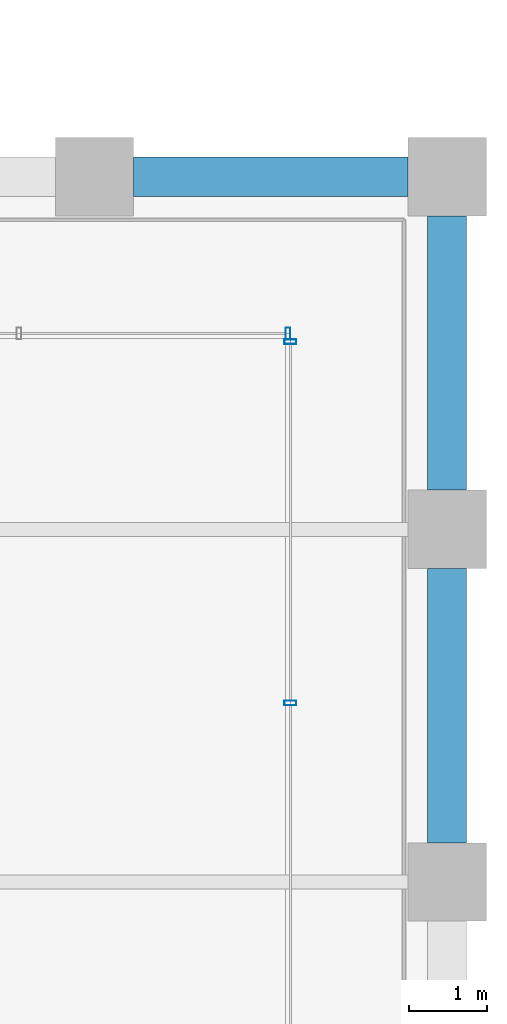
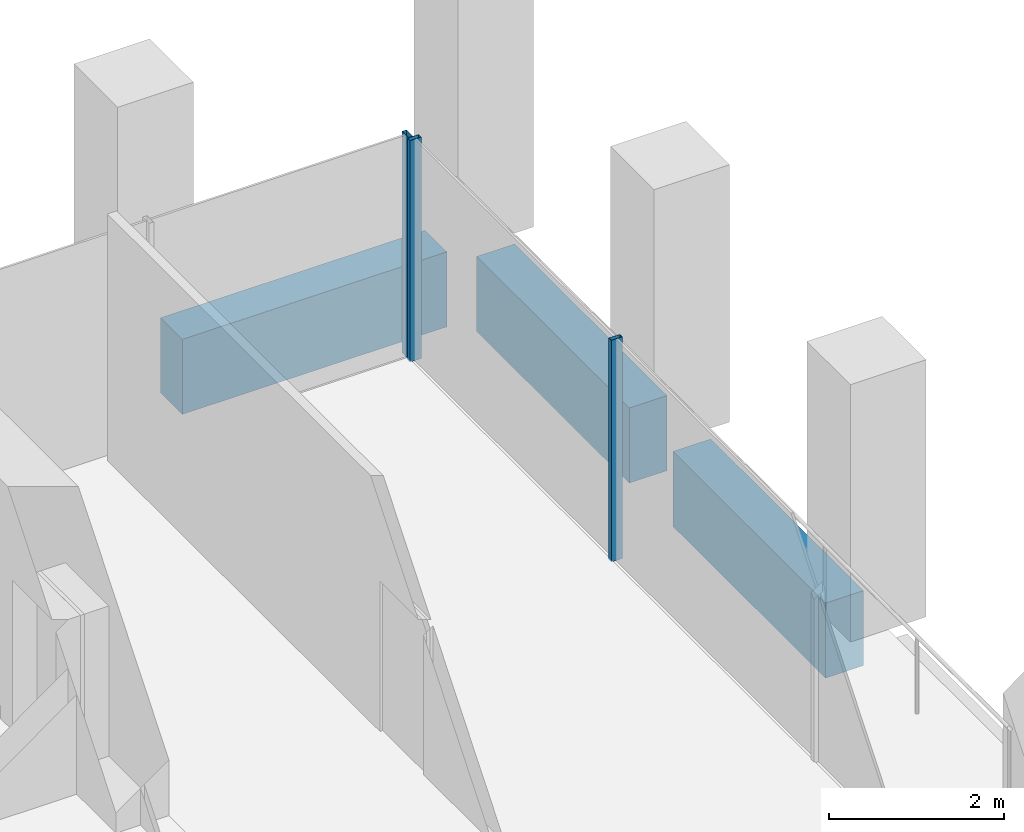
# One storey, part 38 of 46: 3 beams, 3 members, 2 elements without a shape of their own.
"""IFC4 building model written with IfcOpenShell, lengths in metres."""

from ifc_helpers import new_model, si_unit, direction, frame, origin, origin_2d, place, context, subcontext, project, spatial, rectangle, hollow_rectangle, extrude, material, material_profile, profile_set, type_object, element, aggregate, save


model = new_model("IFC4")

# Units and contexts
model_context = context("Model", 3, precision=1e-05, world=origin(), true_north=direction((0.0, 1.0)))
body_context = subcontext(model_context, "Body", "Model", "MODEL_VIEW")
ifc_project = project(units=[si_unit("LENGTHUNIT", "METRE"), si_unit("AREAUNIT", "SQUARE_METRE"), si_unit("VOLUMEUNIT", "CUBIC_METRE"), si_unit("PLANEANGLEUNIT", "RADIAN"), si_unit("MASSUNIT", "GRAM", prefix="KILO")], contexts=[model_context])

# Site, building, storey
site_placement = place(None, origin())
site = spatial("IfcSite", under=ifc_project, at=site_placement, CompositionType="ELEMENT")
building_placement = place(site_placement, origin())
building = spatial("IfcBuilding", under=site, at=building_placement, Name="Altepetl Exchange Towers", CompositionType="ELEMENT")
storey_placement = place(building_placement, frame((0.0, 0.0, 106.39990234375)))
storey = spatial("IfcBuildingStorey", under=building, at=storey_placement, Name="L26", CompositionType="ELEMENT", Elevation=106.39990234375)

# Curtain wall, members
ifc_material_1 = material(Name="Aluminium 6063-T6 glazing", Category="aluminium")
curtain_wall_type = type_object("IfcCurtainWallType", Name="Loggia glazing system", PredefinedType="NOTDEFINED", material=ifc_material_1)
curtain_wall_1_placement = place(storey_placement, origin())
curtain_wall_1 = element("IfcCurtainWall", 1, at=curtain_wall_1_placement, inside=storey, type_object=curtain_wall_type, Name="CW1 run", PredefinedType="NOTDEFINED")
ifc_material_2 = material(Name="Aluminium 6063-T6", Category="aluminium")
ifc_material_profile_1 = material_profile(ifc_material_2, hollow_rectangle(XDim=0.06005859375, YDim=0.14990234375, WallThickness=0.0029296875, at=origin_2d()), Name="Mullion 60x150 aluminium")
ifc_profile_set_1 = profile_set([ifc_material_profile_1], Name="Aluminium 6063-T6")
member_type = type_object("IfcMemberType", Name="Mullion 60x150 aluminium", PredefinedType="MULLION", material=ifc_profile_set_1)
member_1_placement = place(storey_placement, frame((124.0, 42.783447265625, 0.0), z_axis=(0.0, 0.0, 1.0), x_axis=(0.0, 1.0, 0.0)))
member_1 = element("IfcMember", 2, at=member_1_placement, type_object=member_type, Name="MU1 mullion", PredefinedType="MULLION", context=body_context, shape_type="SweptSolid", body=[
    extrude(hollow_rectangle(XDim=0.06005859375, YDim=0.14990234375, WallThickness=0.0029296875, at=origin_2d()), origin(), (0.0, 0.0, 1.0), 3.10009765625),
])
member_2_placement = place(storey_placement, frame((124.0, 47.39501953125, 0.0), z_axis=(0.0, 0.0, 1.0), x_axis=(0.0, 1.0, 0.0)))
member_2 = element("IfcMember", 3, at=member_2_placement, type_object=member_type, Name="MU1 mullion", PredefinedType="MULLION", context=body_context, shape_type="SweptSolid", body=[
    extrude(hollow_rectangle(XDim=0.06005859375, YDim=0.14990234375, WallThickness=0.0029296875, at=origin_2d()), origin(), (0.0, 0.0, 1.0), 3.10009765625),
])
aggregate(curtain_wall_1, [member_1, member_2])

# Curtain wall, member
curtain_wall_2_placement = place(storey_placement, origin())
curtain_wall_2 = element("IfcCurtainWall", 4, at=curtain_wall_2_placement, inside=storey, type_object=curtain_wall_type, Name="CW1 run", PredefinedType="NOTDEFINED")
member_3_placement = place(storey_placement, frame((123.969970703125, 47.5, 0.0), z_axis=(0.0, 0.0, 1.0), x_axis=(-1.0, 0.0, 0.0)))
member_3 = element("IfcMember", 5, at=member_3_placement, type_object=member_type, Name="MU1 mullion", PredefinedType="MULLION", context=body_context, shape_type="SweptSolid", body=[
    extrude(hollow_rectangle(XDim=0.06005859375, YDim=0.14990234375, WallThickness=0.0029296875, at=origin_2d()), origin(), (0.0, 0.0, 1.0), 3.10009765625),
])
aggregate(curtain_wall_2, [member_3])

# Beams
ifc_material_3 = material(Name="Concrete C50/60 precast with cantera amarilla facing", Category="concrete")
ifc_material_profile_2 = material_profile(ifc_material_3, rectangle(XDim=0.5, YDim=1.050048828125, at=origin_2d()), Name="500 x 1050")
ifc_profile_set_2 = profile_set([ifc_material_profile_2], Name="Concrete C50/60 precast with cantera amarilla facing")
beam_type_1 = type_object("IfcBeamType", Name="Spandrel beam 500x1050 cantera amarilla", PredefinedType="SPANDREL", material=ifc_profile_set_2)
beam_placement = place(storey_placement, frame((125.5, 49.5, -0.6748046875), z_axis=(-1.0, 0.0, 0.0), x_axis=(0.0, -1.0, 0.0)))
element("IfcBeam", 6, at=beam_placement, inside=storey, type_object=beam_type_1, Name="sp:B:L26:013", PredefinedType="SPANDREL", context=body_context, shape_type="SweptSolid", body=[
    extrude(rectangle(XDim=0.5, YDim=1.050048828125, at=origin_2d()), origin(), (0.0, 0.0, 1.0), 3.5),
])
ifc_material_4 = material(Name="Concrete C50/60 precast with cantera blanca facing", Category="concrete")
ifc_material_profile_3 = material_profile(ifc_material_4, rectangle(XDim=0.5, YDim=1.050048828125, at=origin_2d()), Name="500 x 1050")
ifc_profile_set_3 = profile_set([ifc_material_profile_3], Name="Concrete C50/60 precast with cantera blanca facing")
beam_type_2 = type_object("IfcBeamType", Name="Spandrel beam 500x1050 cantera blanca", PredefinedType="SPANDREL", material=ifc_profile_set_3)
for number, where, z_axis, x_axis, name in (
    (7, (126.0, 41.0, -0.6748046875), (0.0, 1.0, 0.0), (-1.0, 0.0, 0.0), "sp:B:L26:011"),
    (8, (126.0, 45.5, -0.6748046875), (0.0, 1.0, 0.0), (-1.0, 0.0, 0.0), "sp:B:L26:012"),
):
    element("IfcBeam", number, at=place(storey_placement, frame(where, z_axis=z_axis, x_axis=x_axis)), inside=storey, type_object=beam_type_2, Name=name, PredefinedType="SPANDREL", context=body_context, shape_type="SweptSolid", body=[
        extrude(rectangle(XDim=0.5, YDim=1.050048828125, at=origin_2d()), origin(), (0.0, 0.0, 1.0), 3.5),
    ])

save(model, "model.ifc")
